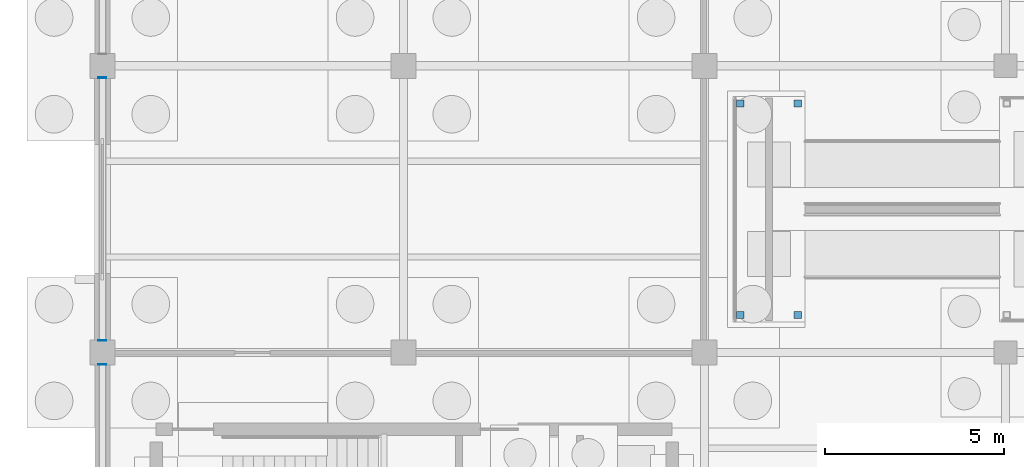
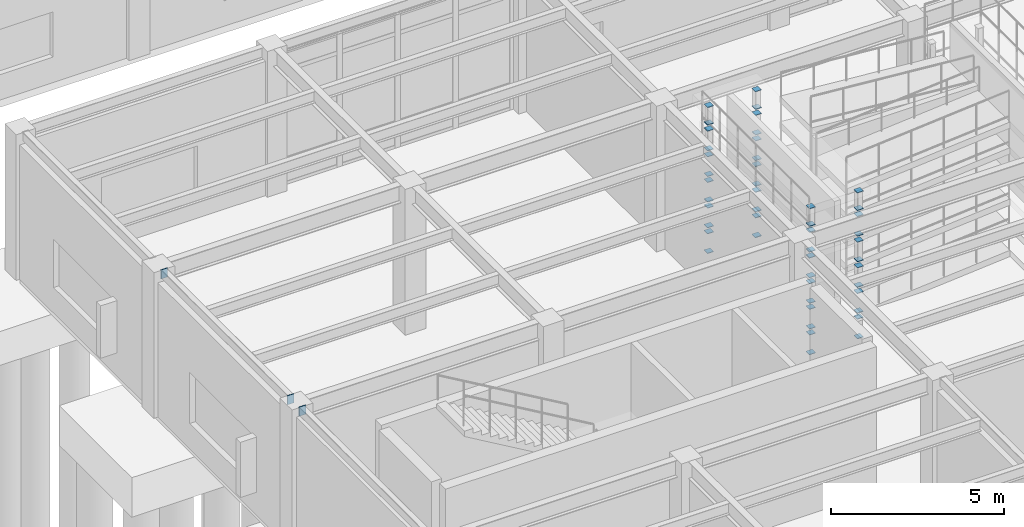
# One storey, part 90 of 138: 51 discrete accessories.
"""IFC4 building model written with IfcOpenShell, lengths in metres."""

from ifc_helpers import new_model, si_unit, direction, frame, origin, origin_2d, place, context, subcontext, project, spatial, rectangle, extrude, material, layer, layer_set, type_object, element, save


model = new_model("IFC4")

# Units and contexts
model_context = context("Model", 3, precision=1e-05, world=origin(), true_north=direction((0.0, 1.0)))
body_context = subcontext(model_context, "Body", "Model", "MODEL_VIEW")
ifc_project = project(units=[si_unit("LENGTHUNIT", "METRE"), si_unit("AREAUNIT", "SQUARE_METRE"), si_unit("VOLUMEUNIT", "CUBIC_METRE"), si_unit("PLANEANGLEUNIT", "RADIAN"), si_unit("MASSUNIT", "GRAM", prefix="KILO")], contexts=[model_context])

# Site, building, storey
site_placement = place(None, origin())
site = spatial("IfcSite", under=ifc_project, at=site_placement, CompositionType="ELEMENT")
building_placement = place(site_placement, origin())
building = spatial("IfcBuilding", under=site, at=building_placement, Name="Kranzveld Transit Interchange", CompositionType="ELEMENT")
storey_placement = place(building_placement, origin())
storey = spatial("IfcBuildingStorey", under=building, at=storey_placement, Name="L00", CompositionType="ELEMENT", Elevation=0.0)

# Discrete accessories
ifc_material = material(Name="Steel S355JR", Category="steel")
ifc_layer = layer(ifc_material, 0.02001953125)
ifc_layer_set = layer_set([ifc_layer], Name="Steel S355JR")
discrete_accessory_type = type_object("IfcDiscreteAccessoryType", Name="Hollow Section End Cap Bracket 20 S355JR", PredefinedType="BRACKET", material=ifc_layer_set)
for number, where, z_axis, x_axis, name in (
    (1, (0.0, 23.656005859375, 5.0), (0.0, 1.0, 0.0), (-1.0, 0.0, 0.0), "Hollow Section End Cap SP-RHS300-2"),
    (2, (0.0, 24.343994140625, 5.0), (0.0, -1.0, 0.0), (1.0, 0.0, 0.0), "Hollow Section End Cap SP-RHS300-1"),
    (3, (0.0, 31.656005859375, 5.0), (0.0, 1.0, 0.0), (-1.0, 0.0, 0.0), "Hollow Section End Cap SP-RHS300-2"),
):
    element("IfcDiscreteAccessory", number, at=place(storey_placement, frame(where, z_axis=z_axis, x_axis=x_axis)), inside=storey, type_object=discrete_accessory_type, Name=name, PredefinedType="BRACKET", context=body_context, shape_type="SweptSolid", body=[
        extrude(rectangle(XDim=0.22412109375, YDim=0.323974609375, at=origin_2d()), origin(), (0.0, 0.0, 1.0), 0.02001953125),
    ])
for number, where, z_axis, x_axis, name in (
    (4, (17.800048828125, 25.050048828125, 0.006103515625), (0.0, 0.0, -1.0), (1.0, 0.0, 0.0), "Hollow Section End Cap C-SHS180-1"),
    (5, (17.800048828125, 25.050048828125, 0.6806640625), (0.0, 0.0, 1.0), (1.0, 0.0, 0.0), "Hollow Section End Cap C-SHS180-2"),
    (6, (17.800048828125, 30.949951171875, 0.006103515625), (0.0, 0.0, -1.0), (1.0, 0.0, 0.0), "Hollow Section End Cap C-SHS180-1"),
    (7, (17.800048828125, 30.949951171875, 0.6806640625), (0.0, 0.0, 1.0), (1.0, 0.0, 0.0), "Hollow Section End Cap C-SHS180-2"),
    (8, (19.39990234375, 25.050048828125, 0.006103515625), (0.0, 0.0, -1.0), (1.0, 0.0, 0.0), "Hollow Section End Cap C-SHS180-1"),
    (9, (19.39990234375, 25.050048828125, 0.6806640625), (0.0, 0.0, 1.0), (1.0, 0.0, 0.0), "Hollow Section End Cap C-SHS180-2"),
    (10, (19.39990234375, 30.949951171875, 0.006103515625), (0.0, 0.0, -1.0), (1.0, 0.0, 0.0), "Hollow Section End Cap C-SHS180-1"),
    (11, (19.39990234375, 30.949951171875, 0.6806640625), (0.0, 0.0, 1.0), (1.0, 0.0, 0.0), "Hollow Section End Cap C-SHS180-2"),
    (12, (17.800048828125, 25.050048828125, 0.91259765625), (0.0, 0.0, -1.0), (1.0, 0.0, 0.0), "Hollow Section End Cap C-SHS180-1"),
    (13, (17.800048828125, 25.050048828125, 1.58740234375), (0.0, 0.0, 1.0), (1.0, 0.0, 0.0), "Hollow Section End Cap C-SHS180-2"),
    (14, (17.800048828125, 30.949951171875, 0.91259765625), (0.0, 0.0, -1.0), (1.0, 0.0, 0.0), "Hollow Section End Cap C-SHS180-1"),
    (15, (17.800048828125, 30.949951171875, 1.58740234375), (0.0, 0.0, 1.0), (1.0, 0.0, 0.0), "Hollow Section End Cap C-SHS180-2"),
    (16, (19.39990234375, 25.050048828125, 0.91259765625), (0.0, 0.0, -1.0), (1.0, 0.0, 0.0), "Hollow Section End Cap C-SHS180-1"),
    (17, (19.39990234375, 25.050048828125, 1.58740234375), (0.0, 0.0, 1.0), (1.0, 0.0, 0.0), "Hollow Section End Cap C-SHS180-2"),
    (18, (19.39990234375, 30.949951171875, 0.91259765625), (0.0, 0.0, -1.0), (1.0, 0.0, 0.0), "Hollow Section End Cap C-SHS180-1"),
    (19, (19.39990234375, 30.949951171875, 1.58740234375), (0.0, 0.0, 1.0), (1.0, 0.0, 0.0), "Hollow Section End Cap C-SHS180-2"),
    (20, (17.800048828125, 25.050048828125, 1.8193359375), (0.0, 0.0, -1.0), (1.0, 0.0, 0.0), "Hollow Section End Cap C-SHS180-1"),
    (21, (17.800048828125, 25.050048828125, 2.493896484375), (0.0, 0.0, 1.0), (1.0, 0.0, 0.0), "Hollow Section End Cap C-SHS180-2"),
    (22, (17.800048828125, 30.949951171875, 1.8193359375), (0.0, 0.0, -1.0), (1.0, 0.0, 0.0), "Hollow Section End Cap C-SHS180-1"),
    (23, (17.800048828125, 30.949951171875, 2.493896484375), (0.0, 0.0, 1.0), (1.0, 0.0, 0.0), "Hollow Section End Cap C-SHS180-2"),
    (24, (19.39990234375, 25.050048828125, 1.8193359375), (0.0, 0.0, -1.0), (1.0, 0.0, 0.0), "Hollow Section End Cap C-SHS180-1"),
    (25, (19.39990234375, 25.050048828125, 2.493896484375), (0.0, 0.0, 1.0), (1.0, 0.0, 0.0), "Hollow Section End Cap C-SHS180-2"),
    (26, (19.39990234375, 30.949951171875, 1.8193359375), (0.0, 0.0, -1.0), (1.0, 0.0, 0.0), "Hollow Section End Cap C-SHS180-1"),
    (27, (19.39990234375, 30.949951171875, 2.493896484375), (0.0, 0.0, 1.0), (1.0, 0.0, 0.0), "Hollow Section End Cap C-SHS180-2"),
    (28, (17.800048828125, 25.050048828125, 2.72607421875), (0.0, 0.0, -1.0), (1.0, 0.0, 0.0), "Hollow Section End Cap C-SHS180-1"),
    (29, (17.800048828125, 25.050048828125, 3.400634765625), (0.0, 0.0, 1.0), (1.0, 0.0, 0.0), "Hollow Section End Cap C-SHS180-2"),
    (30, (17.800048828125, 30.949951171875, 2.72607421875), (0.0, 0.0, -1.0), (1.0, 0.0, 0.0), "Hollow Section End Cap C-SHS180-1"),
    (31, (17.800048828125, 30.949951171875, 3.400634765625), (0.0, 0.0, 1.0), (1.0, 0.0, 0.0), "Hollow Section End Cap C-SHS180-2"),
    (32, (19.39990234375, 25.050048828125, 2.72607421875), (0.0, 0.0, -1.0), (1.0, 0.0, 0.0), "Hollow Section End Cap C-SHS180-1"),
    (33, (19.39990234375, 25.050048828125, 3.400634765625), (0.0, 0.0, 1.0), (1.0, 0.0, 0.0), "Hollow Section End Cap C-SHS180-2"),
    (34, (19.39990234375, 30.949951171875, 2.72607421875), (0.0, 0.0, -1.0), (1.0, 0.0, 0.0), "Hollow Section End Cap C-SHS180-1"),
    (35, (19.39990234375, 30.949951171875, 3.400634765625), (0.0, 0.0, 1.0), (1.0, 0.0, 0.0), "Hollow Section End Cap C-SHS180-2"),
    (36, (17.800048828125, 25.050048828125, 3.632568359375), (0.0, 0.0, -1.0), (1.0, 0.0, 0.0), "Hollow Section End Cap C-SHS180-1"),
    (37, (17.800048828125, 25.050048828125, 4.307373046875), (0.0, 0.0, 1.0), (1.0, 0.0, 0.0), "Hollow Section End Cap C-SHS180-2"),
    (38, (17.800048828125, 30.949951171875, 3.632568359375), (0.0, 0.0, -1.0), (1.0, 0.0, 0.0), "Hollow Section End Cap C-SHS180-1"),
    (39, (17.800048828125, 30.949951171875, 4.307373046875), (0.0, 0.0, 1.0), (1.0, 0.0, 0.0), "Hollow Section End Cap C-SHS180-2"),
    (40, (19.39990234375, 25.050048828125, 3.632568359375), (0.0, 0.0, -1.0), (1.0, 0.0, 0.0), "Hollow Section End Cap C-SHS180-1"),
    (41, (19.39990234375, 25.050048828125, 4.307373046875), (0.0, 0.0, 1.0), (1.0, 0.0, 0.0), "Hollow Section End Cap C-SHS180-2"),
    (42, (19.39990234375, 30.949951171875, 3.632568359375), (0.0, 0.0, -1.0), (1.0, 0.0, 0.0), "Hollow Section End Cap C-SHS180-1"),
    (43, (19.39990234375, 30.949951171875, 4.307373046875), (0.0, 0.0, 1.0), (1.0, 0.0, 0.0), "Hollow Section End Cap C-SHS180-2"),
    (44, (17.800048828125, 25.050048828125, 4.539306640625), (0.0, 0.0, -1.0), (1.0, 0.0, 0.0), "Hollow Section End Cap C-SHS180-1"),
    (45, (17.800048828125, 25.050048828125, 5.14208984375), (0.0, 0.0, 1.0), (1.0, 0.0, 0.0), "Hollow Section End Cap C-SHS180-2"),
    (46, (17.800048828125, 30.949951171875, 4.539306640625), (0.0, 0.0, -1.0), (1.0, 0.0, 0.0), "Hollow Section End Cap C-SHS180-1"),
    (47, (17.800048828125, 30.949951171875, 5.14208984375), (0.0, 0.0, 1.0), (1.0, 0.0, 0.0), "Hollow Section End Cap C-SHS180-2"),
    (48, (19.39990234375, 25.050048828125, 4.539306640625), (0.0, 0.0, -1.0), (1.0, 0.0, 0.0), "Hollow Section End Cap C-SHS180-1"),
    (49, (19.39990234375, 25.050048828125, 5.14208984375), (0.0, 0.0, 1.0), (1.0, 0.0, 0.0), "Hollow Section End Cap C-SHS180-2"),
    (50, (19.39990234375, 30.949951171875, 4.539306640625), (0.0, 0.0, -1.0), (1.0, 0.0, 0.0), "Hollow Section End Cap C-SHS180-1"),
    (51, (19.39990234375, 30.949951171875, 5.14208984375), (0.0, 0.0, 1.0), (1.0, 0.0, 0.0), "Hollow Section End Cap C-SHS180-2"),
):
    element("IfcDiscreteAccessory", number, at=place(storey_placement, frame(where, z_axis=z_axis, x_axis=x_axis)), inside=storey, type_object=discrete_accessory_type, Name=name, PredefinedType="BRACKET", context=body_context, shape_type="SweptSolid", body=[
        extrude(rectangle(XDim=0.2041015625, YDim=0.2041015625, at=origin_2d()), origin(), (0.0, 0.0, 1.0), 0.02001953125),
    ])

save(model, "model.ifc")
